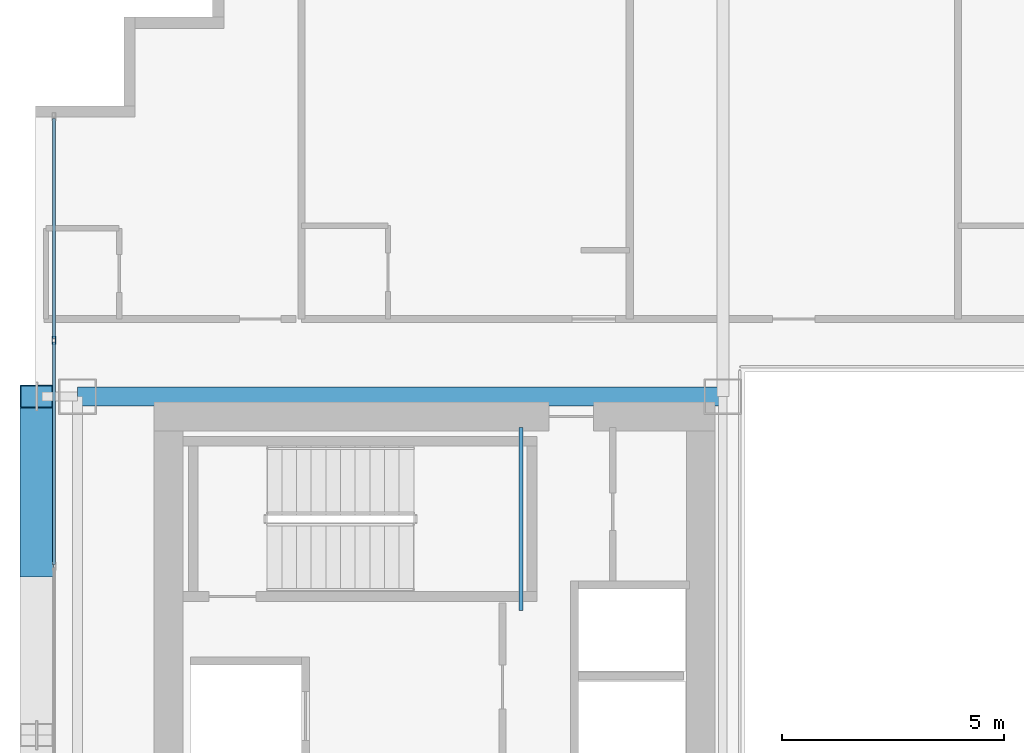
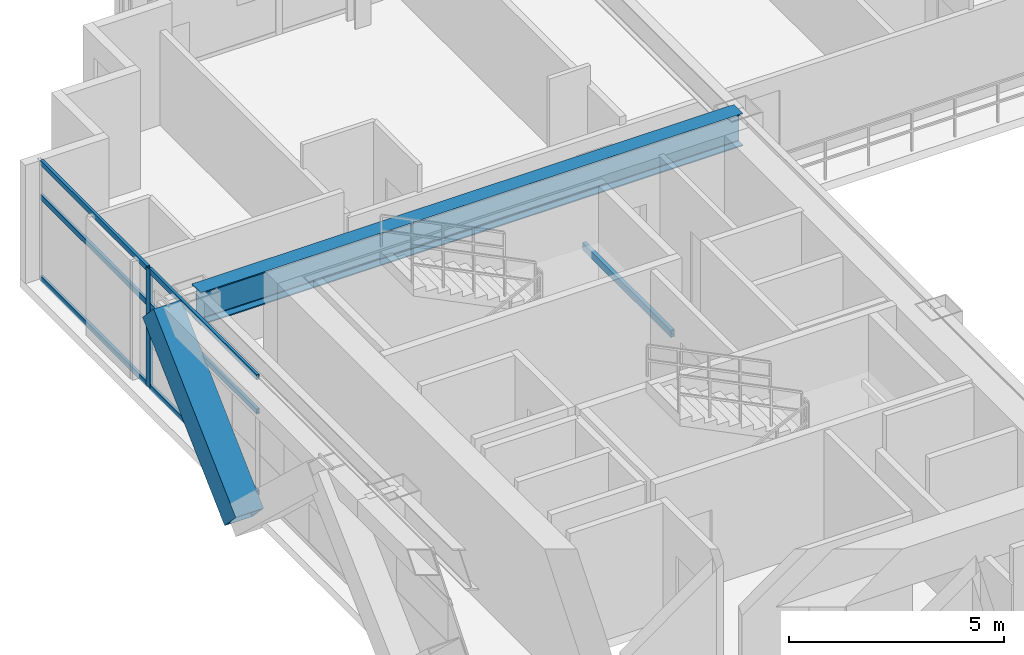
# One storey, part 16 of 34: 8 members, 2 beams, 1 element without a shape of its own.
"""IFC4 building model written with IfcOpenShell, lengths in metres."""

import ifcopenshell
import ifcopenshell.guid

model = None  # the IFC model being written
_history = None  # IfcOwnerHistory: only IFC2X3 demands one
_inside = {}  # id of a spatial element -> (the spatial element, [elements in it])
_under = {}  # id of a project, library or spatial element -> (it, [spatial elements below it])
_declared = {}  # id of a project -> (the project, [libraries it declares])
_typed = {}  # id of a type object -> (the type object, [elements of that type])
_made_of = {}  # id of a material, layer set ... -> (it, [elements and type objects made of it])


def new_model(schema):
    """Start an empty IFC model of exactly this schema.

    Asked for "IFC4X3", IfcOpenShell would pick the latest addendum, in which some entities
    have other attributes; the version numbers below select the first issue.
    IFC2X3 requires an IfcOwnerHistory on every rooted entity: one is made here for all.
    """
    global model, _history
    if schema == "IFC4X3":
        model = ifcopenshell.file(schema_version=(4, 3, 0, 0))
    else:
        model = ifcopenshell.file(schema=schema)
    _inside.clear()
    _under.clear()
    _declared.clear()
    _typed.clear()
    _made_of.clear()
    _history = None
    if model.schema == "IFC2X3":
        org = make("IfcOrganization", Name="unknown")
        user = make(
            "IfcPersonAndOrganization",
            ThePerson=make("IfcPerson", FamilyName="unknown"),
            TheOrganization=org,
        )
        app = make(
            "IfcApplication",
            ApplicationDeveloper=org,
            Version="unknown",
            ApplicationFullName="unknown",
            ApplicationIdentifier="unknown",
        )
        _history = make(
            "IfcOwnerHistory",
            OwningUser=user,
            OwningApplication=app,
            ChangeAction="ADDED",
            CreationDate=0,
        )
    return model


def make(cls, **values):
    """One entity of the class cls with the attributes given. An attribute that is None is left unset."""
    return model.create_entity(
        cls, **{name: value for name, value in values.items() if value is not None}
    )


def rooted(cls, **values):
    """An entity with a GlobalId (a new one), such as an element, a storey or a relation."""
    return make(cls, GlobalId=ifcopenshell.guid.new(), OwnerHistory=_history, **values)


def si_unit(unit_type, name, prefix=None):
    """IfcSIUnit, for example si_unit("LENGTHUNIT", "METRE", prefix="MILLI")."""
    return make("IfcSIUnit", UnitType=unit_type, Prefix=prefix, Name=name)


def assignment(units):
    """IfcUnitAssignment: the units of a project."""
    return None if units is None else make("IfcUnitAssignment", Units=units)


def point(xyz):
    """IfcCartesianPoint."""
    return None if xyz is None else make("IfcCartesianPoint", Coordinates=xyz)


def direction(xyz):
    """IfcDirection."""
    return None if xyz is None else make("IfcDirection", DirectionRatios=xyz)


def frame(location, z_axis=None, x_axis=None):
    """IfcAxis2Placement3D, a coordinate frame: its origin and axes. An axis left out is left unset."""
    return make(
        "IfcAxis2Placement3D",
        Location=point(location),
        Axis=direction(z_axis),
        RefDirection=direction(x_axis),
    )


def frame_2d(location, x_axis=None):
    """IfcAxis2Placement2D, a coordinate frame in the plane: its origin and x axis."""
    return make(
        "IfcAxis2Placement2D", Location=point(location), RefDirection=direction(x_axis)
    )


def origin():
    """The frame at (0, 0, 0) with its axes left unset."""
    return frame((0.0, 0.0, 0.0))


def origin_2d():
    """The frame at (0, 0) in the plane with its x axis left unset."""
    return frame_2d((0.0, 0.0))


def place(relative_to, where):
    """IfcLocalPlacement: puts the frame where relative to a parent placement (None: the world)."""
    return make(
        "IfcLocalPlacement", PlacementRelTo=relative_to, RelativePlacement=where
    )


def context(
    kind, dimensions, precision=None, world=None, true_north=None, identifier=None
):
    """IfcGeometricRepresentationContext, for example the 3D "Model" context."""
    return make(
        "IfcGeometricRepresentationContext",
        ContextIdentifier=identifier,
        ContextType=kind,
        CoordinateSpaceDimension=dimensions,
        Precision=precision,
        WorldCoordinateSystem=world,
        TrueNorth=true_north,
    )


def subcontext(parent, identifier, kind, view, scale=None):
    """IfcGeometricRepresentationSubContext, for example "Body" below "Model"."""
    return make(
        "IfcGeometricRepresentationSubContext",
        ContextIdentifier=identifier,
        ContextType=kind,
        ParentContext=parent,
        TargetScale=scale,
        TargetView=view,
    )


def project(units=None, contexts=None):
    """IfcProject with its units and contexts."""
    return rooted(
        "IfcProject",
        Name="project",
        RepresentationContexts=contexts,
        UnitsInContext=assignment(units),
    )


def spatial(cls, under=None, at=None, **own):
    """A site, building, storey or space (cls), placed at a placement, below another one or the project."""
    s = rooted(cls, ObjectPlacement=at, **own)
    if under is not None:
        _under.setdefault(under.id(), (under, []))[1].append(s)
    return s


def profile(cls, at=None, kind="AREA", **sizes):
    """A parametric profile (cls). Its sizes go by their IFC names, for example OverallWidth=200.0."""
    return make(cls, ProfileType=kind, Position=at, **sizes)


def hollow_rectangle(**sizes):
    """IfcRectangleHollowProfileDef."""
    return profile("IfcRectangleHollowProfileDef", **sizes)


def i_section(**sizes):
    """IfcIShapeProfileDef."""
    return profile("IfcIShapeProfileDef", **sizes)


def extrude(swept, where, along, depth):
    """IfcExtrudedAreaSolid: the profile swept, set in the frame where, extruded along a direction by depth."""
    return make(
        "IfcExtrudedAreaSolid",
        SweptArea=swept,
        Position=where,
        ExtrudedDirection=direction(along),
        Depth=depth,
    )


def shape(context_of_items, identifier, shape_type, items):
    """IfcShapeRepresentation: the items that make up one representation, for example the "Body"."""
    return make(
        "IfcShapeRepresentation",
        ContextOfItems=context_of_items,
        RepresentationIdentifier=identifier,
        RepresentationType=shape_type,
        Items=items,
    )


def source(mapping_origin, context_of_items, identifier, shape_type, items):
    """IfcRepresentationMap: a shape defined once, which mapped items show again and again."""
    return make(
        "IfcRepresentationMap",
        MappingOrigin=mapping_origin,
        MappedRepresentation=shape(context_of_items, identifier, shape_type, items),
    )


def transform(
    local_origin,
    x_axis=None,
    y_axis=None,
    z_axis=None,
    scale=None,
    scale2=None,
    scale3=None,
    uniform=True,
):
    """IfcCartesianTransformationOperator3D, or its non-uniform kind. x_axis, y_axis, z_axis: its Axis1, 2, 3."""
    if uniform:
        return make(
            "IfcCartesianTransformationOperator3D",
            Axis1=direction(x_axis),
            Axis2=direction(y_axis),
            LocalOrigin=point(local_origin),
            Scale=scale,
            Axis3=direction(z_axis),
        )
    return make(
        "IfcCartesianTransformationOperator3DnonUniform",
        Axis1=direction(x_axis),
        Axis2=direction(y_axis),
        LocalOrigin=point(local_origin),
        Scale=scale,
        Axis3=direction(z_axis),
        Scale2=scale2,
        Scale3=scale3,
    )


def mapped(mapping_source, mapping_target):
    """IfcMappedItem: shows the shape of a source again, moved by a transform."""
    return make(
        "IfcMappedItem", MappingSource=mapping_source, MappingTarget=mapping_target
    )


def material(Name=None, Category=None):
    """IfcMaterial."""
    return make("IfcMaterial", Name=Name, Category=Category)


def layer(
    of_material, thickness, ventilated=None, Name=None, Category=None, Priority=None
):
    """IfcMaterialLayer: one layer of a wall or slab, of a material (None: an air gap)."""
    return make(
        "IfcMaterialLayer",
        Material=of_material,
        LayerThickness=thickness,
        IsVentilated=ventilated,
        Name=Name,
        Category=Category,
        Priority=Priority,
    )


def layer_set(layers, Name=None):
    """IfcMaterialLayerSet."""
    return make("IfcMaterialLayerSet", MaterialLayers=layers, LayerSetName=Name)


def material_profile(
    of_material, cross_section, Name=None, Category=None, Priority=None
):
    """IfcMaterialProfile: a cross section and its material."""
    return make(
        "IfcMaterialProfile",
        Name=Name,
        Material=of_material,
        Profile=cross_section,
        Priority=Priority,
        Category=Category,
    )


def profile_set(profiles, Name=None, composite=None):
    """IfcMaterialProfileSet."""
    return make(
        "IfcMaterialProfileSet",
        Name=Name,
        MaterialProfiles=profiles,
        CompositeProfile=composite,
    )


def made_of(thing, what):
    """Note that an element or type object is made of a material, layer set ...; save() writes the relation."""
    if what is not None:
        _made_of.setdefault(what.id(), (what, []))[1].append(thing)
    return thing


def type_object(cls, material=None, **own):
    """A type object (cls), such as IfcWallType, which elements share."""
    return made_of(rooted(cls, **own), material)


def element(
    cls,
    number,
    at=None,
    inside=None,
    cuts=None,
    type_object=None,
    material=None,
    context=None,
    identifier="Body",
    shape_type=None,
    held_by="IfcProductDefinitionShape",
    body=None,
    shapes=None,
    **own,
):
    """One element of the class cls, such as IfcWall. Its Tag is "e" and its number.

    at: its placement. inside: the storey or other place that contains it. cuts: it is an
    opening in that element (IfcRelVoidsElement). A single representation is given by context,
    identifier, shape_type and body (its items); several are given by shapes. held_by: the class
    of the entity that holds the representations. save() writes the other relations.
    """
    e = rooted(cls, Tag="e%d" % number, ObjectPlacement=at, **own)
    if body is not None:
        shapes = [shape(context, identifier, shape_type, body)]
    if shapes is not None:
        e.Representation = make(held_by, Representations=shapes)
    if inside is not None:
        _inside.setdefault(inside.id(), (inside, []))[1].append(e)
    if cuts is not None:
        rooted(
            "IfcRelVoidsElement", RelatingBuildingElement=cuts, RelatedOpeningElement=e
        )
    if type_object is not None:
        _typed.setdefault(type_object.id(), (type_object, []))[1].append(e)
    return made_of(e, material)


def aggregate(whole, parts):
    """IfcRelAggregates: a whole, such as a stair, and the parts it consists of."""
    return rooted("IfcRelAggregates", RelatingObject=whole, RelatedObjects=parts)


def save(model, path):
    """Write the relations noted so far, then the file.

    IfcRelAggregates (storeys below a building ...), IfcRelContainedInSpatialStructure (elements
    in a storey), IfcRelDefinesByType, IfcRelAssociatesMaterial and IfcRelDeclares: one each for
    every whole, place, type object, material and project.
    """
    for whole, parts in _under.values():
        aggregate(whole, parts)
    for where, things in _inside.values():
        rooted(
            "IfcRelContainedInSpatialStructure",
            RelatedElements=things,
            RelatingStructure=where,
        )
    for kind, things in _typed.values():
        rooted("IfcRelDefinesByType", RelatedObjects=things, RelatingType=kind)
    for what, things in _made_of.values():
        rooted("IfcRelAssociatesMaterial", RelatedObjects=things, RelatingMaterial=what)
    for by, libraries in _declared.values():
        rooted("IfcRelDeclares", RelatingContext=by, RelatedDefinitions=libraries)
    model.write(path)


model = new_model("IFC4")

# Units and contexts
model_context = context("Model", 3, precision=1e-05, world=origin(), true_north=direction((0.0, 1.0)))
body_context = subcontext(model_context, "Body", "Model", "MODEL_VIEW")
ifc_project = project(units=[si_unit("LENGTHUNIT", "METRE"), si_unit("AREAUNIT", "SQUARE_METRE"), si_unit("VOLUMEUNIT", "CUBIC_METRE"), si_unit("PLANEANGLEUNIT", "RADIAN"), si_unit("MASSUNIT", "GRAM", prefix="KILO")], contexts=[model_context])

# Site, building, storey
site_placement = place(None, origin())
site = spatial("IfcSite", under=ifc_project, at=site_placement, CompositionType="ELEMENT")
building_placement = place(site_placement, origin())
building = spatial("IfcBuilding", under=site, at=building_placement, Name="Ocotamira Hotel", CompositionType="ELEMENT")
storey_placement = place(building_placement, frame((0.0, 0.0, 108.0)))
storey = spatial("IfcBuildingStorey", under=building, at=storey_placement, Name="L26", CompositionType="ELEMENT", Elevation=108.0)

# Beams
ifc_material_1 = material(Name="Steel ASTM A500 Grade C", Category="steel")
ifc_material_profile_1 = material_profile(ifc_material_1, hollow_rectangle(XDim=0.10009765625, YDim=0.199951171875, WallThickness=0.008056640625, at=origin_2d()), Name="HSS200X100X8")
ifc_profile_set_1 = profile_set([ifc_material_profile_1], Name="Steel ASTM A500 Grade C")
beam_type_1 = type_object("IfcBeamType", Name="BM-STLDG-HSS200", PredefinedType="BEAM", material=ifc_profile_set_1)
shared_shape_1 = source(origin(), body_context, "Body", "SweptSolid", [
    extrude(hollow_rectangle(XDim=0.10009765625, YDim=0.199951171875, WallThickness=0.008056640625, at=origin_2d()), origin(), (0.0, 0.0, 1.0), 4.1201171875),
])
beam_1_placement = place(storey_placement, frame((18.949951171875, 32.6298828125, 1.5), z_axis=(0.0, 1.0, 0.0), x_axis=(-1.0, 0.0, 0.0)))
element("IfcBeam", 1, at=beam_1_placement, inside=storey, type_object=beam_type_1, Name="L26 Stair ST-2 Landing Bearer 1", PredefinedType="BEAM", context=body_context, shape_type="MappedRepresentation", body=[
    mapped(shared_shape_1, transform((0.0, 0.0, 0.0), scale=1.0)),
])
ifc_material_2 = material(Name="Steel ASTM A992 Grade 50", Category="steel")
ifc_material_profile_2 = material_profile(ifc_material_2, i_section(OverallWidth=0.41796875, OverallDepth=0.927001953125, WebThickness=0.019287109375, FlangeThickness=0.031982421875, FilletRadius=0.02392578125, at=origin_2d()), Name="W36X231")
ifc_profile_set_2 = profile_set([ifc_material_profile_2], Name="Steel ASTM A992 Grade 50")
beam_type_2 = type_object("IfcBeamType", Name="BM-GIRD-W36X231", PredefinedType="BEAM", material=ifc_profile_set_2)
shared_shape_2 = source(origin(), body_context, "Body", "SweptSolid", [
    extrude(i_section(OverallWidth=0.41796875, OverallDepth=0.927001953125, WebThickness=0.019287109375, FlangeThickness=0.031982421875, FilletRadius=0.02392578125, at=origin_2d()), origin(), (0.0, 0.0, 1.0), 14.550048828125),
])
beam_2_placement = place(storey_placement, frame((8.949951171875, 37.449951171875, 2.896484375), z_axis=(1.0, 0.0, 0.0), x_axis=(0.0, 1.0, 0.0)))
element("IfcBeam", 2, at=beam_2_placement, inside=storey, type_object=beam_type_2, Name="L26 Girder Y37.45 X8.95-23.5", PredefinedType="BEAM", context=body_context, shape_type="MappedRepresentation", body=[
    mapped(shared_shape_2, transform((0.0, 0.0, 0.0), scale=1.0)),
])

# Member
ifc_material_3 = material(Name="Pale-metal coated steel ASTM A913 Grade 65", Category="steel")
ifc_material_profile_3 = material_profile(ifc_material_3, hollow_rectangle(XDim=0.75, YDim=0.75, WallThickness=0.028076171875, at=origin_2d()), Name="BOX750X750X28")
ifc_profile_set_3 = profile_set([ifc_material_profile_3], Name="Pale-metal coated steel ASTM A913 Grade 65")
member_type_1 = type_object("IfcMemberType", Name="MEM-EXO-BOX750", PredefinedType="BRACE", material=ifc_profile_set_3)
shared_shape_3 = source(origin(), body_context, "Body", "SweptSolid", [
    extrude(hollow_rectangle(XDim=0.75, YDim=0.75, WallThickness=0.028076171875, at=origin_2d()), origin(), (0.0, 0.0, 1.0), 5.24658203125),
])
member_1_placement = place(storey_placement, frame((8.030029296875, 33.63330078125, -0.489990234375), z_axis=(0.0, 0.727442733726, 0.686168397078), x_axis=(-1.0, 0.0, 0.0)))
element("IfcMember", 3, at=member_1_placement, inside=storey, type_object=member_type_1, Name="L26 Exoskeleton Diagrid W2.2", PredefinedType="BRACE", context=body_context, shape_type="MappedRepresentation", body=[
    mapped(shared_shape_3, transform((0.0, 0.0, 0.0), scale=1.0)),
])

# Curtain wall, members
ifc_material_4 = material(Name="Anodised pale-metal aluminium and solar glass", Category="aluminium")
ifc_layer = layer(ifc_material_4, 0.179931640625)
ifc_layer_set = layer_set([ifc_layer], Name="Anodised pale-metal aluminium and solar glass")
curtain_wall_type = type_object("IfcCurtainWallType", Name="CW-SYS3-Z2", PredefinedType="NOTDEFINED", material=ifc_layer_set)
curtain_wall_placement = place(storey_placement, origin())
curtain_wall = element("IfcCurtainWall", 4, at=curtain_wall_placement, inside=storey, type_object=curtain_wall_type, Name="L26 Curtain Wall CW-3 CW-L26-W", PredefinedType="NOTDEFINED")
ifc_material_5 = material(Name="Anodised pale-metal aluminium 6063-T6", Category="aluminium")
ifc_material_profile_4 = material_profile(ifc_material_5, hollow_rectangle(XDim=0.074951171875, YDim=0.14990234375, WallThickness=0.006103515625, at=origin_2d()), Name="HSS150X75X6")
ifc_profile_set_4 = profile_set([ifc_material_profile_4], Name="Anodised pale-metal aluminium 6063-T6")
member_type_2 = type_object("IfcMemberType", Name="CWT-150X75", PredefinedType="USERDEFINED", material=ifc_profile_set_4)
shared_shape_4 = source(origin(), body_context, "Body", "SweptSolid", [
    extrude(hollow_rectangle(XDim=0.074951171875, YDim=0.14990234375, WallThickness=0.006103515625, at=origin_2d()), origin(), (0.0, 0.0, 1.0), 4.965576171875),
])
member_2_placement = place(storey_placement, frame((8.419921875, 38.75439453125, 0.03759765625), z_axis=(0.0, 1.0, 0.0), x_axis=(-1.0, 0.0, 0.0)))
member_2 = element("IfcMember", 5, at=member_2_placement, type_object=member_type_2, Name="CW-3 transom 7.1", ObjectType="TRANSOM", PredefinedType="USERDEFINED", context=body_context, shape_type="MappedRepresentation", body=[
    mapped(shared_shape_4, transform((0.0, 0.0, 0.0), scale=1.0)),
])
member_3_placement = place(storey_placement, frame((8.419921875, 38.75439453125, 2.35009765625), z_axis=(0.0, 1.0, 0.0), x_axis=(-1.0, 0.0, 0.0)))
member_3 = element("IfcMember", 6, at=member_3_placement, type_object=member_type_2, Name="CW-3 transom 7.2", ObjectType="TRANSOM", PredefinedType="USERDEFINED", context=body_context, shape_type="MappedRepresentation", body=[
    mapped(shared_shape_4, transform((0.0, 0.0, 0.0), scale=1.0)),
])
member_4_placement = place(storey_placement, frame((8.419921875, 38.75439453125, 3.322509765625), z_axis=(0.0, 1.0, 0.0), x_axis=(-1.0, 0.0, 0.0)))
member_4 = element("IfcMember", 7, at=member_4_placement, type_object=member_type_2, Name="CW-3 transom 7.3", ObjectType="TRANSOM", PredefinedType="USERDEFINED", context=body_context, shape_type="MappedRepresentation", body=[
    mapped(shared_shape_4, transform((0.0, 0.0, 0.0), scale=1.0)),
])
shared_shape_5 = source(origin(), body_context, "Body", "SweptSolid", [
    extrude(hollow_rectangle(XDim=0.074951171875, YDim=0.14990234375, WallThickness=0.006103515625, at=origin_2d()), origin(), (0.0, 0.0, 1.0), 5.005859375),
])
member_5_placement = place(storey_placement, frame((8.419921875, 33.66845703125, 0.03759765625), z_axis=(0.0, 1.0, 0.0), x_axis=(-1.0, 0.0, 0.0)))
member_5 = element("IfcMember", 8, at=member_5_placement, type_object=member_type_2, Name="CW-3 transom 6.1", ObjectType="TRANSOM", PredefinedType="USERDEFINED", context=body_context, shape_type="MappedRepresentation", body=[
    mapped(shared_shape_5, transform((0.0, 0.0, 0.0), scale=1.0)),
])
member_6_placement = place(storey_placement, frame((8.419921875, 33.66845703125, 2.35009765625), z_axis=(0.0, 1.0, 0.0), x_axis=(-1.0, 0.0, 0.0)))
member_6 = element("IfcMember", 9, at=member_6_placement, type_object=member_type_2, Name="CW-3 transom 6.2", ObjectType="TRANSOM", PredefinedType="USERDEFINED", context=body_context, shape_type="MappedRepresentation", body=[
    mapped(shared_shape_5, transform((0.0, 0.0, 0.0), scale=1.0)),
])
member_7_placement = place(storey_placement, frame((8.419921875, 33.66845703125, 3.322509765625), z_axis=(0.0, 1.0, 0.0), x_axis=(-1.0, 0.0, 0.0)))
member_7 = element("IfcMember", 10, at=member_7_placement, type_object=member_type_2, Name="CW-3 transom 6.3", ObjectType="TRANSOM", PredefinedType="USERDEFINED", context=body_context, shape_type="MappedRepresentation", body=[
    mapped(shared_shape_5, transform((0.0, 0.0, 0.0), scale=1.0)),
])
ifc_material_profile_5 = material_profile(ifc_material_5, hollow_rectangle(XDim=0.080078125, YDim=0.179931640625, WallThickness=0.006103515625, at=origin_2d()), Name="HSS180X80X6")
ifc_profile_set_5 = profile_set([ifc_material_profile_5], Name="Anodised pale-metal aluminium 6063-T6")
member_type_3 = type_object("IfcMemberType", Name="CWM-180X75", PredefinedType="MULLION", material=ifc_profile_set_5)
shared_shape_6 = source(origin(), body_context, "Body", "SweptSolid", [
    extrude(hollow_rectangle(XDim=0.080078125, YDim=0.179931640625, WallThickness=0.006103515625, at=origin_2d()), origin(), (0.0, 0.0, 1.0), 3.360107421875),
])
member_8_placement = place(storey_placement, frame((8.419921875, 38.71435546875, 0.0), z_axis=(0.0, 0.0, 1.0), x_axis=(-1.0, 0.0, 0.0)))
member_8 = element("IfcMember", 11, at=member_8_placement, type_object=member_type_3, Name="CW-3 mullion 7", PredefinedType="MULLION", context=body_context, shape_type="MappedRepresentation", body=[
    mapped(shared_shape_6, transform((0.0, 0.0, 0.0), scale=1.0)),
])
aggregate(curtain_wall, [member_8, member_5, member_6, member_7, member_2, member_3, member_4])

save(model, "model.ifc")
